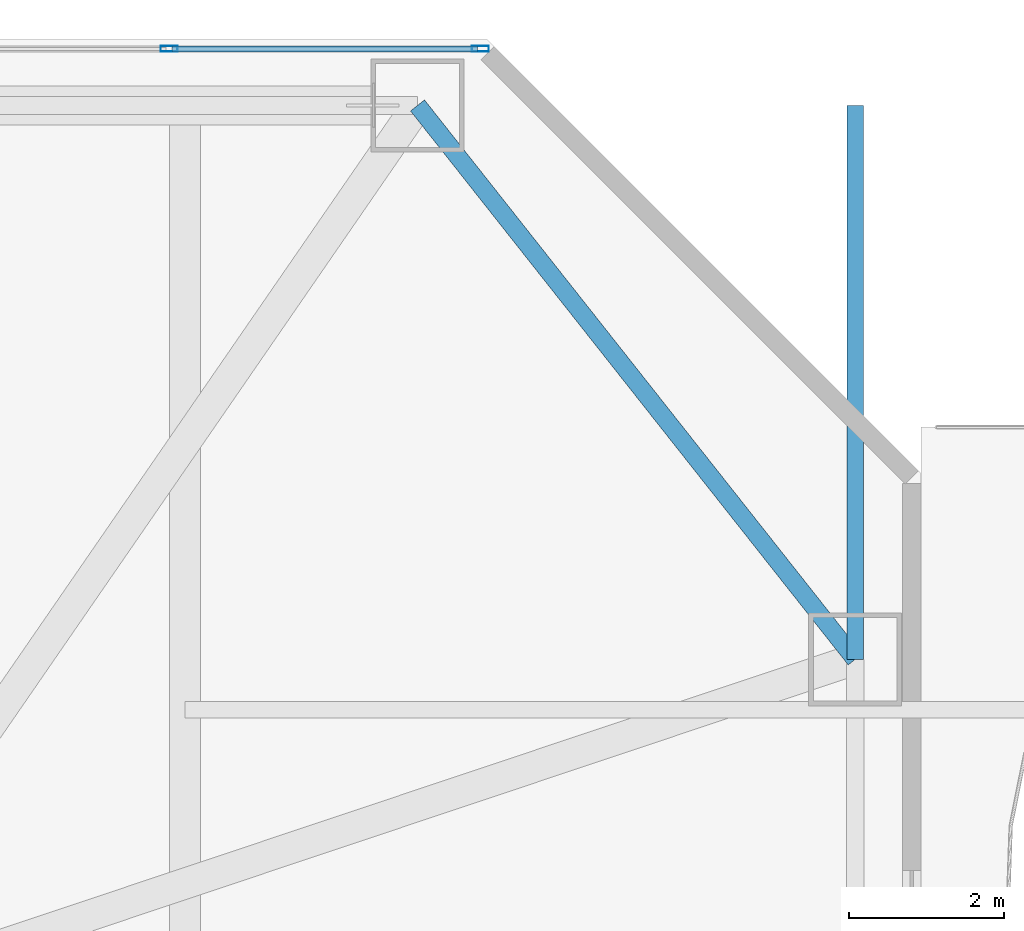
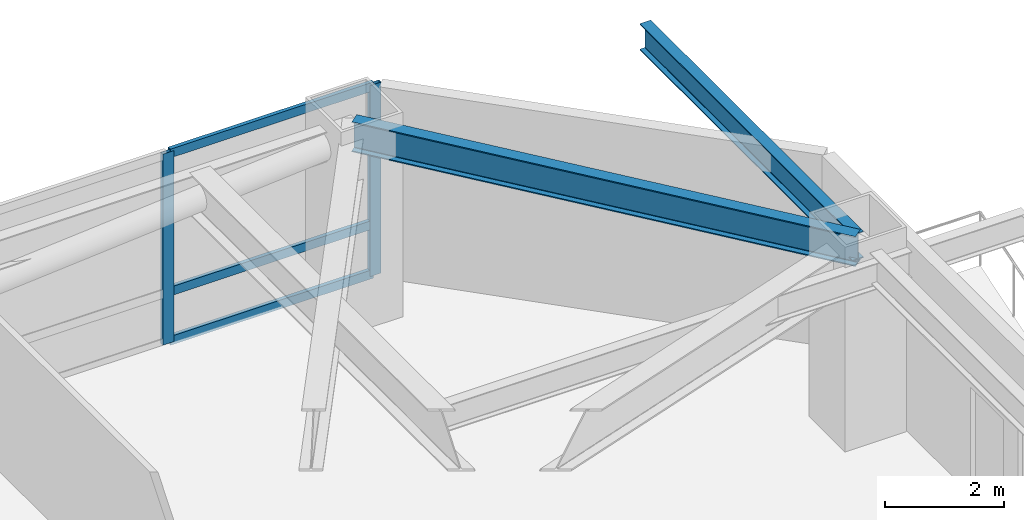
# One storey, part 8 of 24: 5 members, 2 beams, 1 element without a shape of its own.
"""IFC4 building model written with IfcOpenShell, lengths in metres."""

import ifcopenshell
import ifcopenshell.guid

model = None  # the IFC model being written
_history = None  # IfcOwnerHistory: only IFC2X3 demands one
_inside = {}  # id of a spatial element -> (the spatial element, [elements in it])
_under = {}  # id of a project, library or spatial element -> (it, [spatial elements below it])
_declared = {}  # id of a project -> (the project, [libraries it declares])
_typed = {}  # id of a type object -> (the type object, [elements of that type])
_made_of = {}  # id of a material, layer set ... -> (it, [elements and type objects made of it])


def new_model(schema):
    """Start an empty IFC model of exactly this schema.

    Asked for "IFC4X3", IfcOpenShell would pick the latest addendum, in which some entities
    have other attributes; the version numbers below select the first issue.
    IFC2X3 requires an IfcOwnerHistory on every rooted entity: one is made here for all.
    """
    global model, _history
    if schema == "IFC4X3":
        model = ifcopenshell.file(schema_version=(4, 3, 0, 0))
    else:
        model = ifcopenshell.file(schema=schema)
    _inside.clear()
    _under.clear()
    _declared.clear()
    _typed.clear()
    _made_of.clear()
    _history = None
    if model.schema == "IFC2X3":
        org = make("IfcOrganization", Name="unknown")
        user = make(
            "IfcPersonAndOrganization",
            ThePerson=make("IfcPerson", FamilyName="unknown"),
            TheOrganization=org,
        )
        app = make(
            "IfcApplication",
            ApplicationDeveloper=org,
            Version="unknown",
            ApplicationFullName="unknown",
            ApplicationIdentifier="unknown",
        )
        _history = make(
            "IfcOwnerHistory",
            OwningUser=user,
            OwningApplication=app,
            ChangeAction="ADDED",
            CreationDate=0,
        )
    return model


def make(cls, **values):
    """One entity of the class cls with the attributes given. An attribute that is None is left unset."""
    return model.create_entity(
        cls, **{name: value for name, value in values.items() if value is not None}
    )


def rooted(cls, **values):
    """An entity with a GlobalId (a new one), such as an element, a storey or a relation."""
    return make(cls, GlobalId=ifcopenshell.guid.new(), OwnerHistory=_history, **values)


def si_unit(unit_type, name, prefix=None):
    """IfcSIUnit, for example si_unit("LENGTHUNIT", "METRE", prefix="MILLI")."""
    return make("IfcSIUnit", UnitType=unit_type, Prefix=prefix, Name=name)


def assignment(units):
    """IfcUnitAssignment: the units of a project."""
    return None if units is None else make("IfcUnitAssignment", Units=units)


def point(xyz):
    """IfcCartesianPoint."""
    return None if xyz is None else make("IfcCartesianPoint", Coordinates=xyz)


def direction(xyz):
    """IfcDirection."""
    return None if xyz is None else make("IfcDirection", DirectionRatios=xyz)


def frame(location, z_axis=None, x_axis=None):
    """IfcAxis2Placement3D, a coordinate frame: its origin and axes. An axis left out is left unset."""
    return make(
        "IfcAxis2Placement3D",
        Location=point(location),
        Axis=direction(z_axis),
        RefDirection=direction(x_axis),
    )


def frame_2d(location, x_axis=None):
    """IfcAxis2Placement2D, a coordinate frame in the plane: its origin and x axis."""
    return make(
        "IfcAxis2Placement2D", Location=point(location), RefDirection=direction(x_axis)
    )


def origin():
    """The frame at (0, 0, 0) with its axes left unset."""
    return frame((0.0, 0.0, 0.0))


def origin_2d():
    """The frame at (0, 0) in the plane with its x axis left unset."""
    return frame_2d((0.0, 0.0))


def place(relative_to, where):
    """IfcLocalPlacement: puts the frame where relative to a parent placement (None: the world)."""
    return make(
        "IfcLocalPlacement", PlacementRelTo=relative_to, RelativePlacement=where
    )


def context(
    kind, dimensions, precision=None, world=None, true_north=None, identifier=None
):
    """IfcGeometricRepresentationContext, for example the 3D "Model" context."""
    return make(
        "IfcGeometricRepresentationContext",
        ContextIdentifier=identifier,
        ContextType=kind,
        CoordinateSpaceDimension=dimensions,
        Precision=precision,
        WorldCoordinateSystem=world,
        TrueNorth=true_north,
    )


def subcontext(parent, identifier, kind, view, scale=None):
    """IfcGeometricRepresentationSubContext, for example "Body" below "Model"."""
    return make(
        "IfcGeometricRepresentationSubContext",
        ContextIdentifier=identifier,
        ContextType=kind,
        ParentContext=parent,
        TargetScale=scale,
        TargetView=view,
    )


def project(units=None, contexts=None):
    """IfcProject with its units and contexts."""
    return rooted(
        "IfcProject",
        Name="project",
        RepresentationContexts=contexts,
        UnitsInContext=assignment(units),
    )


def spatial(cls, under=None, at=None, **own):
    """A site, building, storey or space (cls), placed at a placement, below another one or the project."""
    s = rooted(cls, ObjectPlacement=at, **own)
    if under is not None:
        _under.setdefault(under.id(), (under, []))[1].append(s)
    return s


def profile(cls, at=None, kind="AREA", **sizes):
    """A parametric profile (cls). Its sizes go by their IFC names, for example OverallWidth=200.0."""
    return make(cls, ProfileType=kind, Position=at, **sizes)


def hollow_rectangle(**sizes):
    """IfcRectangleHollowProfileDef."""
    return profile("IfcRectangleHollowProfileDef", **sizes)


def i_section(**sizes):
    """IfcIShapeProfileDef."""
    return profile("IfcIShapeProfileDef", **sizes)


def extrude(swept, where, along, depth):
    """IfcExtrudedAreaSolid: the profile swept, set in the frame where, extruded along a direction by depth."""
    return make(
        "IfcExtrudedAreaSolid",
        SweptArea=swept,
        Position=where,
        ExtrudedDirection=direction(along),
        Depth=depth,
    )


def shape(context_of_items, identifier, shape_type, items):
    """IfcShapeRepresentation: the items that make up one representation, for example the "Body"."""
    return make(
        "IfcShapeRepresentation",
        ContextOfItems=context_of_items,
        RepresentationIdentifier=identifier,
        RepresentationType=shape_type,
        Items=items,
    )


def material(Name=None, Category=None):
    """IfcMaterial."""
    return make("IfcMaterial", Name=Name, Category=Category)


def material_profile(
    of_material, cross_section, Name=None, Category=None, Priority=None
):
    """IfcMaterialProfile: a cross section and its material."""
    return make(
        "IfcMaterialProfile",
        Name=Name,
        Material=of_material,
        Profile=cross_section,
        Priority=Priority,
        Category=Category,
    )


def profile_set(profiles, Name=None, composite=None):
    """IfcMaterialProfileSet."""
    return make(
        "IfcMaterialProfileSet",
        Name=Name,
        MaterialProfiles=profiles,
        CompositeProfile=composite,
    )


def made_of(thing, what):
    """Note that an element or type object is made of a material, layer set ...; save() writes the relation."""
    if what is not None:
        _made_of.setdefault(what.id(), (what, []))[1].append(thing)
    return thing


def type_object(cls, material=None, **own):
    """A type object (cls), such as IfcWallType, which elements share."""
    return made_of(rooted(cls, **own), material)


def element(
    cls,
    number,
    at=None,
    inside=None,
    cuts=None,
    type_object=None,
    material=None,
    context=None,
    identifier="Body",
    shape_type=None,
    held_by="IfcProductDefinitionShape",
    body=None,
    shapes=None,
    **own,
):
    """One element of the class cls, such as IfcWall. Its Tag is "e" and its number.

    at: its placement. inside: the storey or other place that contains it. cuts: it is an
    opening in that element (IfcRelVoidsElement). A single representation is given by context,
    identifier, shape_type and body (its items); several are given by shapes. held_by: the class
    of the entity that holds the representations. save() writes the other relations.
    """
    e = rooted(cls, Tag="e%d" % number, ObjectPlacement=at, **own)
    if body is not None:
        shapes = [shape(context, identifier, shape_type, body)]
    if shapes is not None:
        e.Representation = make(held_by, Representations=shapes)
    if inside is not None:
        _inside.setdefault(inside.id(), (inside, []))[1].append(e)
    if cuts is not None:
        rooted(
            "IfcRelVoidsElement", RelatingBuildingElement=cuts, RelatedOpeningElement=e
        )
    if type_object is not None:
        _typed.setdefault(type_object.id(), (type_object, []))[1].append(e)
    return made_of(e, material)


def aggregate(whole, parts):
    """IfcRelAggregates: a whole, such as a stair, and the parts it consists of."""
    return rooted("IfcRelAggregates", RelatingObject=whole, RelatedObjects=parts)


def save(model, path):
    """Write the relations noted so far, then the file.

    IfcRelAggregates (storeys below a building ...), IfcRelContainedInSpatialStructure (elements
    in a storey), IfcRelDefinesByType, IfcRelAssociatesMaterial and IfcRelDeclares: one each for
    every whole, place, type object, material and project.
    """
    for whole, parts in _under.values():
        aggregate(whole, parts)
    for where, things in _inside.values():
        rooted(
            "IfcRelContainedInSpatialStructure",
            RelatedElements=things,
            RelatingStructure=where,
        )
    for kind, things in _typed.values():
        rooted("IfcRelDefinesByType", RelatedObjects=things, RelatingType=kind)
    for what, things in _made_of.values():
        rooted("IfcRelAssociatesMaterial", RelatedObjects=things, RelatingMaterial=what)
    for by, libraries in _declared.values():
        rooted("IfcRelDeclares", RelatingContext=by, RelatedDefinitions=libraries)
    model.write(path)


model = new_model("IFC4")

# Units and contexts
model_context = context("Model", 3, precision=1e-05, world=origin(), true_north=direction((0.0, 1.0)))
body_context = subcontext(model_context, "Body", "Model", "MODEL_VIEW")
ifc_project = project(units=[si_unit("LENGTHUNIT", "METRE"), si_unit("AREAUNIT", "SQUARE_METRE"), si_unit("VOLUMEUNIT", "CUBIC_METRE"), si_unit("PLANEANGLEUNIT", "RADIAN"), si_unit("MASSUNIT", "GRAM", prefix="KILO")], contexts=[model_context])

# Site, building, storey
site_placement = place(None, origin())
site = spatial("IfcSite", under=ifc_project, at=site_placement, CompositionType="ELEMENT")
building_placement = place(site_placement, origin())
building = spatial("IfcBuilding", under=site, at=building_placement, Name="Khamvora Tower", CompositionType="ELEMENT")
storey_placement = place(building_placement, frame((0.0, 0.0, 20.39990234375)))
storey = spatial("IfcBuildingStorey", under=building, at=storey_placement, Name="L04", CompositionType="ELEMENT", Elevation=20.39990234375)

# Beams
ifc_material_1 = material(Name="Steel S355", Category="steel")
ifc_material_profile_1 = material_profile(ifc_material_1, i_section(OverallWidth=0.2119140625, OverallDepth=0.5439453125, WebThickness=0.012939453125, FlangeThickness=0.02099609375, FilletRadius=0.013916015625, at=origin_2d()), Name="W530x123")
ifc_profile_set_1 = profile_set([ifc_material_profile_1], Name="Steel S355")
beam_type_1 = type_object("IfcBeamType", Name="BM-SP-W530x123", PredefinedType="SPANDREL", material=ifc_profile_set_1)
beam_1_placement = place(storey_placement, frame((55.14990234375, 48.0, 3.648193359375), z_axis=(0.0, 1.0, 0.0), x_axis=(-1.0, 0.0, 0.0)))
element("IfcBeam", 1, at=beam_1_placement, inside=storey, type_object=beam_type_1, Name="L04 E perimeter edge spandrel 5", PredefinedType="SPANDREL", context=body_context, shape_type="SweptSolid", body=[
    extrude(i_section(OverallWidth=0.2119140625, OverallDepth=0.5439453125, WebThickness=0.012939453125, FlangeThickness=0.02099609375, FilletRadius=0.013916015625, at=origin_2d()), origin(), (0.0, 0.0, 1.0), 7.14990234375),
])
ifc_material_profile_2 = material_profile(ifc_material_1, i_section(OverallWidth=0.22998046875, OverallDepth=0.616943359375, WebThickness=0.012939453125, FlangeThickness=0.02197265625, FilletRadius=0.013916015625, at=origin_2d()), Name="W610x140")
ifc_profile_set_2 = profile_set([ifc_material_profile_2], Name="Steel S355")
beam_type_2 = type_object("IfcBeamType", Name="BM-SP-W610x140", PredefinedType="SPANDREL", material=ifc_profile_set_2)
beam_2_placement = place(storey_placement, frame((55.14990234375, 48.0, 3.612060546875), z_axis=(-0.619998635429, 0.784602888133, 0.0), x_axis=(-0.784602888133, -0.619998635429, 0.0)))
element("IfcBeam", 2, at=beam_2_placement, inside=storey, type_object=beam_type_2, Name="L04 perimeter spandrel beam P16-P08", PredefinedType="SPANDREL", context=body_context, shape_type="SweptSolid", body=[
    extrude(i_section(OverallWidth=0.22998046875, OverallDepth=0.616943359375, WebThickness=0.012939453125, FlangeThickness=0.02197265625, FilletRadius=0.013916015625, at=origin_2d()), origin(), (0.0, 0.0, 1.0), 9.11279296875),
])

# Curtain wall, members
ifc_material_2 = material(Name="Anodised Aluminium 6063-T6", Category="aluminium")
curtain_wall_type = type_object("IfcCurtainWallType", Name="CW-SYS-01", PredefinedType="NOTDEFINED", material=ifc_material_2)
curtain_wall_placement = place(storey_placement, origin())
curtain_wall = element("IfcCurtainWall", 3, at=curtain_wall_placement, inside=storey, type_object=curtain_wall_type, Name="L04 stick curtain wall 07.1", PredefinedType="NOTDEFINED")
ifc_material_profile_3 = material_profile(ifc_material_2, hollow_rectangle(XDim=0.074951171875, YDim=0.219970703125, WallThickness=0.0048828125, at=origin_2d()), Name="MUL75x220x5")
ifc_profile_set_3 = profile_set([ifc_material_profile_3], Name="Anodised Aluminium 6063-T6")
member_type_1 = type_object("IfcMemberType", Name="CW-SYS-01-MUL", PredefinedType="MULLION", material=ifc_profile_set_3)
member_1_placement = place(storey_placement, frame((46.29345703125, 55.8798828125, 0.0), z_axis=(0.0, 0.0, 1.0), x_axis=(0.0, 1.0, 0.0)))
member_1 = element("IfcMember", 4, at=member_1_placement, type_object=member_type_1, Name="CW-01 mullion 11", PredefinedType="MULLION", context=body_context, shape_type="SweptSolid", body=[
    extrude(hollow_rectangle(XDim=0.074951171875, YDim=0.219970703125, WallThickness=0.0048828125, at=origin_2d()), origin(), (0.0, 0.0, 1.0), 3.920166015625),
])
member_2_placement = place(storey_placement, frame((50.3125, 55.8798828125, 0.0), z_axis=(0.0, 0.0, 1.0), x_axis=(0.0, 1.0, 0.0)))
member_2 = element("IfcMember", 5, at=member_2_placement, type_object=member_type_1, Name="CW-01 mullion 12", PredefinedType="MULLION", context=body_context, shape_type="SweptSolid", body=[
    extrude(hollow_rectangle(XDim=0.074951171875, YDim=0.219970703125, WallThickness=0.0048828125, at=origin_2d()), origin(), (0.0, 0.0, 1.0), 3.920166015625),
])
ifc_material_profile_4 = material_profile(ifc_material_2, hollow_rectangle(XDim=0.074951171875, YDim=0.179931640625, WallThickness=0.0048828125, at=origin_2d()), Name="TRN75x180x5")
ifc_profile_set_4 = profile_set([ifc_material_profile_4], Name="Anodised Aluminium 6063-T6")
member_type_2 = type_object("IfcMemberType", Name="CW-SYS-01-TRN", PredefinedType="USERDEFINED", material=ifc_profile_set_4)
member_3_placement = place(storey_placement, frame((46.330810546875, 55.8798828125, 0.03759765625), z_axis=(1.0, 0.0, 0.0), x_axis=(0.0, 1.0, 0.0)))
member_3 = element("IfcMember", 6, at=member_3_placement, type_object=member_type_2, Name="CW-01 transom 11.1", ObjectType="TRANSOM", PredefinedType="USERDEFINED", context=body_context, shape_type="SweptSolid", body=[
    extrude(hollow_rectangle(XDim=0.074951171875, YDim=0.179931640625, WallThickness=0.0048828125, at=origin_2d()), origin(), (0.0, 0.0, 1.0), 3.944091796875),
])
member_4_placement = place(storey_placement, frame((46.330810546875, 55.8798828125, 1.050048828125), z_axis=(1.0, 0.0, 0.0), x_axis=(0.0, 1.0, 0.0)))
member_4 = element("IfcMember", 7, at=member_4_placement, type_object=member_type_2, Name="CW-01 transom 11.2", ObjectType="TRANSOM", PredefinedType="USERDEFINED", context=body_context, shape_type="SweptSolid", body=[
    extrude(hollow_rectangle(XDim=0.074951171875, YDim=0.179931640625, WallThickness=0.0048828125, at=origin_2d()), origin(), (0.0, 0.0, 1.0), 3.944091796875),
])
member_5_placement = place(storey_placement, frame((46.330810546875, 55.8798828125, 3.882568359375), z_axis=(1.0, 0.0, 0.0), x_axis=(0.0, 1.0, 0.0)))
member_5 = element("IfcMember", 8, at=member_5_placement, type_object=member_type_2, Name="CW-01 transom 11.3", ObjectType="TRANSOM", PredefinedType="USERDEFINED", context=body_context, shape_type="SweptSolid", body=[
    extrude(hollow_rectangle(XDim=0.074951171875, YDim=0.179931640625, WallThickness=0.0048828125, at=origin_2d()), origin(), (0.0, 0.0, 1.0), 3.944091796875),
])
aggregate(curtain_wall, [member_1, member_2, member_3, member_4, member_5])

save(model, "model.ifc")
